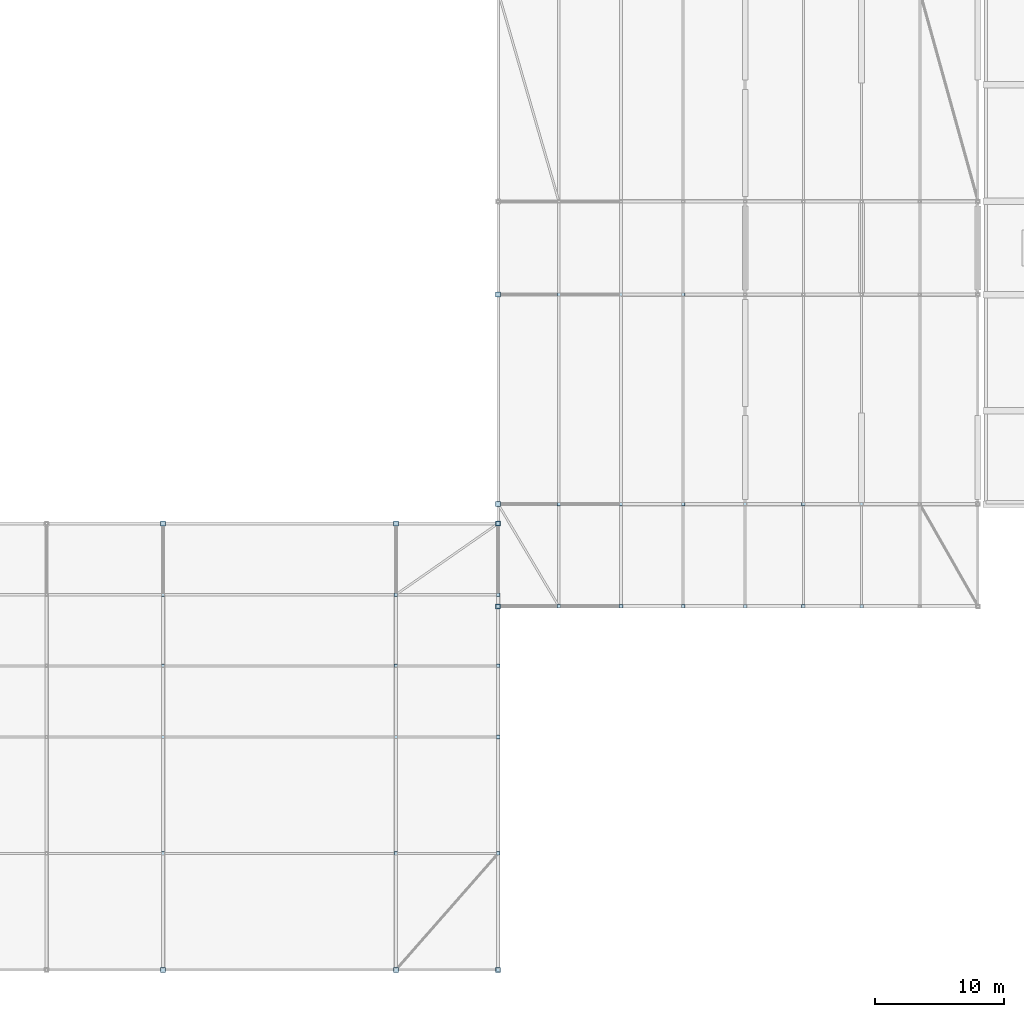
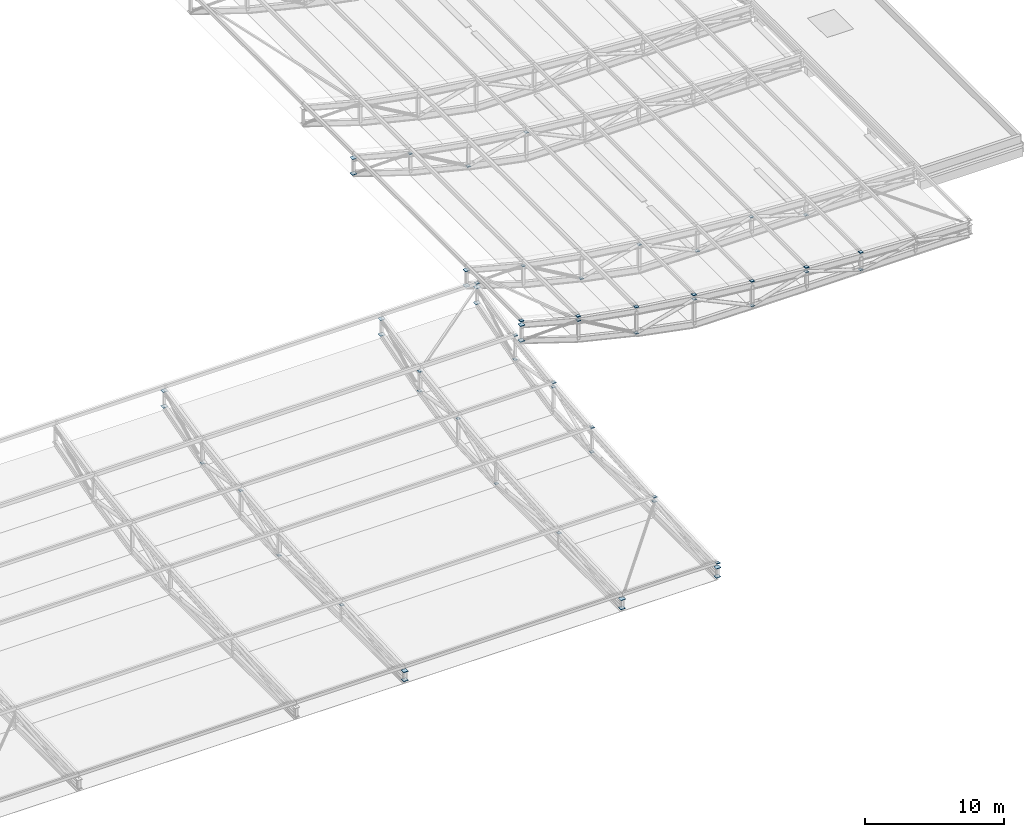
# One storey, part 97 of 114: 59 plates.
"""IFC4 building model written with IfcOpenShell, lengths in metres."""

from ifc_helpers import new_model, si_unit, direction, frame, origin, origin_2d, place, context, subcontext, project, spatial, rectangle, extrude, material, layer, layer_set, type_object, element, save


model = new_model("IFC4")

# Units and contexts
model_context = context("Model", 3, precision=1e-05, world=origin(), true_north=direction((0.0, 1.0)))
body_context = subcontext(model_context, "Body", "Model", "MODEL_VIEW")
ifc_project = project(units=[si_unit("LENGTHUNIT", "METRE"), si_unit("AREAUNIT", "SQUARE_METRE"), si_unit("VOLUMEUNIT", "CUBIC_METRE"), si_unit("PLANEANGLEUNIT", "RADIAN"), si_unit("MASSUNIT", "GRAM", prefix="KILO"), si_unit("THERMODYNAMICTEMPERATUREUNIT", "KELVIN"), si_unit("POWERUNIT", "WATT")], contexts=[model_context])

# Site, building, storey
site_placement = place(None, origin())
site = spatial("IfcSite", under=ifc_project, at=site_placement, CompositionType="ELEMENT")
building_placement = place(site_placement, origin())
building = spatial("IfcBuilding", under=site, at=building_placement, Name="Sindhuravela Promenade Stadium", CompositionType="ELEMENT")
storey_placement = place(building_placement, frame((0.0, 0.0, 24.0)))
storey = spatial("IfcBuildingStorey", under=building, at=storey_placement, Name="L05", CompositionType="ELEMENT", Elevation=24.0)

# Plates
ifc_material = material(Name="Steel E350 (IS 2062 E350BR)", Category="steel")
ifc_layer_1 = layer(ifc_material, 0.02392578125)
ifc_layer_set_1 = layer_set([ifc_layer_1], Name="Steel E350 (IS 2062 E350BR)")
plate_type_1 = type_object("IfcPlateType", Name="ST-PL-CAP24", PredefinedType="USERDEFINED", material=ifc_layer_set_1)
for number, where, z_axis, x_axis, name in (
    (1, (189.0, 37.10009765625, 1.509033203125), (0.0, 0.0, 1.0), (1.0, 0.0, 0.0), "Purlin end cap plate CP01 E-39"),
    (2, (184.5, 37.10009765625, 1.781494140625), (0.0, 0.0, 1.0), (1.0, 0.0, 0.0), "Purlin end cap plate CP01 E-40"),
    (3, (180.0, 37.10009765625, 2.137939453125), (0.0, 0.0, 1.0), (1.0, 0.0, 0.0), "Purlin end cap plate CP01 E-41"),
    (4, (175.199951171875, 37.10009765625, 2.62939453125), (0.0, 0.0, 1.0), (1.0, 0.0, 0.0), "Purlin end cap plate CP01 E-42"),
    (5, (170.39990234375, 37.10009765625, 3.244873046875), (0.0, 0.0, 1.0), (1.0, 0.0, 0.0), "Purlin end cap plate CP01 E-43"),
    (6, (165.60009765625, 37.10009765625, 4.10595703125), (0.0, 0.0, 1.0), (1.0, 0.0, 0.0), "Purlin end cap plate CP01 E-44"),
    (7, (160.89990234375, 37.10009765625, 5.35498046875), (0.0, 0.0, 1.0), (1.0, 0.0, 0.0), "Purlin end cap plate CP01 E-45"),
    (8, (165.60009765625, 37.10009765625, 3.73876953125), (0.0, 0.0, 1.0), (1.0, 0.0, 0.0), "Brace end cap plate CP01 E-47"),
    (9, (160.89990234375, 9.0, 1.179931640625), (0.0, 0.0, 1.0), (1.0, 0.0, 0.0), "Purlin end cap plate CP01 S-47"),
    (10, (160.89990234375, 18.0, 1.507080078125), (0.0, 0.0, 1.0), (1.0, 0.0, 0.0), "Purlin end cap plate CP01 S-48"),
    (11, (160.89990234375, 27.0, 2.143310546875), (0.0, 0.0, 1.0), (1.0, 0.0, 0.0), "Purlin end cap plate CP01 S-49"),
    (12, (160.89990234375, 32.5, 2.732421875), (0.0, 0.0, 1.0), (1.0, 0.0, 0.0), "Purlin end cap plate CP01 S-50"),
    (13, (160.89990234375, 38.0, 3.524169921875), (0.0, 0.0, 1.0), (1.0, 0.0, 0.0), "Purlin end cap plate CP01 S-51"),
    (14, (160.89990234375, 43.5, 4.755126953125), (0.0, 0.0, 1.0), (1.0, 0.0, 0.0), "Purlin end cap plate CP01 S-52"),
    (15, (160.89990234375, 18.0, 1.115234375), (0.0, 0.0, 1.0), (1.0, 0.0, 0.0), "Brace end cap plate CP01 S-53"),
    (16, (153.0, 38.0, 3.1572265625), (0.0, 0.0, 1.0), (1.0, 0.0, 0.0), "Brace end cap plate CP01 S-54"),
):
    element("IfcPlate", number, at=place(storey_placement, frame(where, z_axis=z_axis, x_axis=x_axis)), inside=storey, type_object=plate_type_1, Name=name, ObjectType="GUSSET PLATE", PredefinedType="USERDEFINED", context=body_context, shape_type="SweptSolid", body=[
        extrude(rectangle(XDim=0.280029296875, YDim=0.280029296875, at=origin_2d()), origin(), (0.0, 0.0, 1.0), 0.02392578125),
    ])
for number, where, z_axis, x_axis, name in (
    (17, (189.0, 37.10009765625, -0.011962890625), (0.0, 0.0, 1.0), (1.0, 0.0, 0.0), "Brace end gusset plate CP01 BR-0071B"),
    (18, (184.5, 37.10009765625, 1.389404296875), (0.0, 0.0, 1.0), (1.0, 0.0, 0.0), "Brace end gusset plate CP01 BR-0072B"),
    (19, (180.0, 37.10009765625, -0.011962890625), (0.0, 0.0, 1.0), (1.0, 0.0, 0.0), "Brace end gusset plate CP01 BR-0073B"),
    (20, (175.199951171875, 37.10009765625, 2.237548828125), (0.0, 0.0, 1.0), (1.0, 0.0, 0.0), "Brace end gusset plate CP01 BR-0074B"),
    (21, (170.39990234375, 37.10009765625, 0.943359375), (0.0, 0.0, 1.0), (1.0, 0.0, 0.0), "Brace end gusset plate CP01 BR-0075B"),
    (22, (189.0, 45.0, -0.011962890625), (0.0, 0.0, 1.0), (1.0, 0.0, 0.0), "Brace end gusset plate CP01 BR-0076B"),
    (23, (184.5, 45.0, 1.389404296875), (0.0, 0.0, 1.0), (1.0, 0.0, 0.0), "Brace end gusset plate CP01 BR-0077B"),
    (24, (180.0, 45.0, -0.011962890625), (0.0, 0.0, 1.0), (1.0, 0.0, 0.0), "Brace end gusset plate CP01 BR-0078B"),
    (25, (175.199951171875, 45.0, 2.237548828125), (0.0, 0.0, 1.0), (1.0, 0.0, 0.0), "Brace end gusset plate CP01 BR-0079B"),
    (26, (170.39990234375, 45.0, 0.943359375), (0.0, 0.0, 1.0), (1.0, 0.0, 0.0), "Brace end gusset plate CP01 BR-0080B"),
    (27, (165.60009765625, 45.0, 3.73876953125), (0.0, 0.0, 1.0), (1.0, 0.0, 0.0), "Brace end gusset plate CP01 BR-0081B"),
    (28, (175.199951171875, 61.199951171875, 2.237548828125), (0.0, 0.0, 1.0), (1.0, 0.0, 0.0), "Brace end gusset plate CP01 BR-0086B"),
    (29, (170.39990234375, 61.199951171875, 0.943359375), (0.0, 0.0, 1.0), (1.0, 0.0, 0.0), "Brace end gusset plate CP01 BR-0087B"),
    (30, (165.60009765625, 61.199951171875, 3.73876953125), (0.0, 0.0, 1.0), (1.0, 0.0, 0.0), "Brace end gusset plate CP01 BR-0088B"),
    (31, (135.0, 18.0, 1.115234375), (0.0, 0.0, 1.0), (1.0, 0.0, 0.0), "Brace end gusset plate CP01 BR-0149B"),
    (32, (135.0, 27.0, -0.011962890625), (0.0, 0.0, 1.0), (1.0, 0.0, 0.0), "Brace end gusset plate CP01 BR-0150B"),
    (33, (135.0, 32.5, 2.340576171875), (0.0, 0.0, 1.0), (1.0, 0.0, 0.0), "Brace end gusset plate CP01 BR-0151B"),
    (34, (135.0, 38.0, 1.4072265625), (0.0, 0.0, 1.0), (1.0, 0.0, 0.0), "Brace end gusset plate CP01 BR-0152B"),
    (35, (153.0, 18.0, 1.115234375), (0.0, 0.0, 1.0), (1.0, 0.0, 0.0), "Brace end gusset plate CP01 BR-0153B"),
    (36, (153.0, 27.0, -0.011962890625), (0.0, 0.0, 1.0), (1.0, 0.0, 0.0), "Brace end gusset plate CP01 BR-0154B"),
    (37, (153.0, 32.5, 2.340576171875), (0.0, 0.0, 1.0), (1.0, 0.0, 0.0), "Brace end gusset plate CP01 BR-0155B"),
    (38, (153.0, 38.0, 1.4072265625), (0.0, 0.0, 1.0), (1.0, 0.0, 0.0), "Brace end gusset plate CP01 BR-0156B"),
    (39, (160.89990234375, 27.0, -0.011962890625), (0.0, 0.0, 1.0), (1.0, 0.0, 0.0), "Brace end gusset plate CP01 BR-0157B"),
    (40, (160.89990234375, 32.5, 2.340576171875), (0.0, 0.0, 1.0), (1.0, 0.0, 0.0), "Brace end gusset plate CP01 BR-0158B"),
    (41, (160.89990234375, 38.0, 1.4072265625), (0.0, 0.0, 1.0), (1.0, 0.0, 0.0), "Brace end gusset plate CP01 BR-0159B"),
):
    element("IfcPlate", number, at=place(storey_placement, frame(where, z_axis=z_axis, x_axis=x_axis)), inside=storey, type_object=plate_type_1, Name=name, ObjectType="GUSSET PLATE", PredefinedType="USERDEFINED", context=body_context, shape_type="SweptSolid", body=[
        extrude(rectangle(XDim=0.260009765625, YDim=0.260009765625, at=origin_2d()), origin(), (0.0, 0.0, 1.0), 0.02392578125),
    ])
ifc_layer_2 = layer(ifc_material, 0.033935546875)
ifc_layer_set_2 = layer_set([ifc_layer_2], Name="Steel E350 (IS 2062 E350BR)")
plate_type_2 = type_object("IfcPlateType", Name="ST-PL-CAP34", PredefinedType="USERDEFINED", material=ifc_layer_set_2)
for number, where, z_axis, x_axis, name in (
    (42, (160.89990234375, 37.10009765625, 4.98291015625), (0.0, 0.0, 1.0), (1.0, 0.0, 0.0), "Truss end gusset cap plate CP02 E01-9T"),
    (43, (160.89990234375, 37.10009765625, 3.60791015625), (0.0, 0.0, 1.0), (1.0, 0.0, 0.0), "Truss end gusset cap plate CP02 E01-9B"),
    (44, (160.89990234375, 45.0, 4.98291015625), (0.0, 0.0, 1.0), (1.0, 0.0, 0.0), "Truss end gusset cap plate CP02 E02-9T"),
    (45, (160.89990234375, 45.0, 3.60791015625), (0.0, 0.0, 1.0), (1.0, 0.0, 0.0), "Truss end gusset cap plate CP02 E02-9B"),
    (46, (160.89990234375, 61.199951171875, 4.98291015625), (0.0, 0.0, 1.0), (1.0, 0.0, 0.0), "Truss end gusset cap plate CP02 E03-9T"),
    (47, (160.89990234375, 61.199951171875, 3.60791015625), (0.0, 0.0, 1.0), (1.0, 0.0, 0.0), "Truss end gusset cap plate CP02 E03-9B"),
    (48, (135.0, 9.0, 0.783203125), (0.0, 0.0, 1.0), (1.0, 0.0, 0.0), "Truss end gusset cap plate CP02 S07-1T"),
    (49, (135.0, 9.0, -0.01708984375), (0.0, 0.0, 1.0), (1.0, 0.0, 0.0), "Truss end gusset cap plate CP02 S07-1B"),
    (50, (135.0, 43.5, 4.3828125), (0.0, 0.0, 1.0), (1.0, 0.0, 0.0), "Truss end gusset cap plate CP02 S07-6T"),
    (51, (135.0, 43.5, 3.0078125), (0.0, 0.0, 1.0), (1.0, 0.0, 0.0), "Truss end gusset cap plate CP02 S07-6B"),
    (52, (153.0, 9.0, 0.783203125), (0.0, 0.0, 1.0), (1.0, 0.0, 0.0), "Truss end gusset cap plate CP02 S08-1T"),
    (53, (153.0, 9.0, -0.01708984375), (0.0, 0.0, 1.0), (1.0, 0.0, 0.0), "Truss end gusset cap plate CP02 S08-1B"),
    (54, (153.0, 43.5, 4.3828125), (0.0, 0.0, 1.0), (1.0, 0.0, 0.0), "Truss end gusset cap plate CP02 S08-6T"),
    (55, (153.0, 43.5, 3.0078125), (0.0, 0.0, 1.0), (1.0, 0.0, 0.0), "Truss end gusset cap plate CP02 S08-6B"),
    (56, (160.89990234375, 9.0, 0.783203125), (0.0, 0.0, 1.0), (1.0, 0.0, 0.0), "Truss end gusset cap plate CP02 S09-1T"),
    (57, (160.89990234375, 9.0, -0.01708984375), (0.0, 0.0, 1.0), (1.0, 0.0, 0.0), "Truss end gusset cap plate CP02 S09-1B"),
    (58, (160.89990234375, 43.5, 4.3828125), (0.0, 0.0, 1.0), (1.0, 0.0, 0.0), "Truss end gusset cap plate CP02 S09-6T"),
    (59, (160.89990234375, 43.5, 3.0078125), (0.0, 0.0, 1.0), (1.0, 0.0, 0.0), "Truss end gusset cap plate CP02 S09-6B"),
):
    element("IfcPlate", number, at=place(storey_placement, frame(where, z_axis=z_axis, x_axis=x_axis)), inside=storey, type_object=plate_type_2, Name=name, ObjectType="GUSSET PLATE", PredefinedType="USERDEFINED", context=body_context, shape_type="SweptSolid", body=[
        extrude(rectangle(XDim=0.3798828125, YDim=0.3798828125, at=origin_2d()), origin(), (0.0, 0.0, 1.0), 0.033935546875),
    ])

save(model, "model.ifc")
